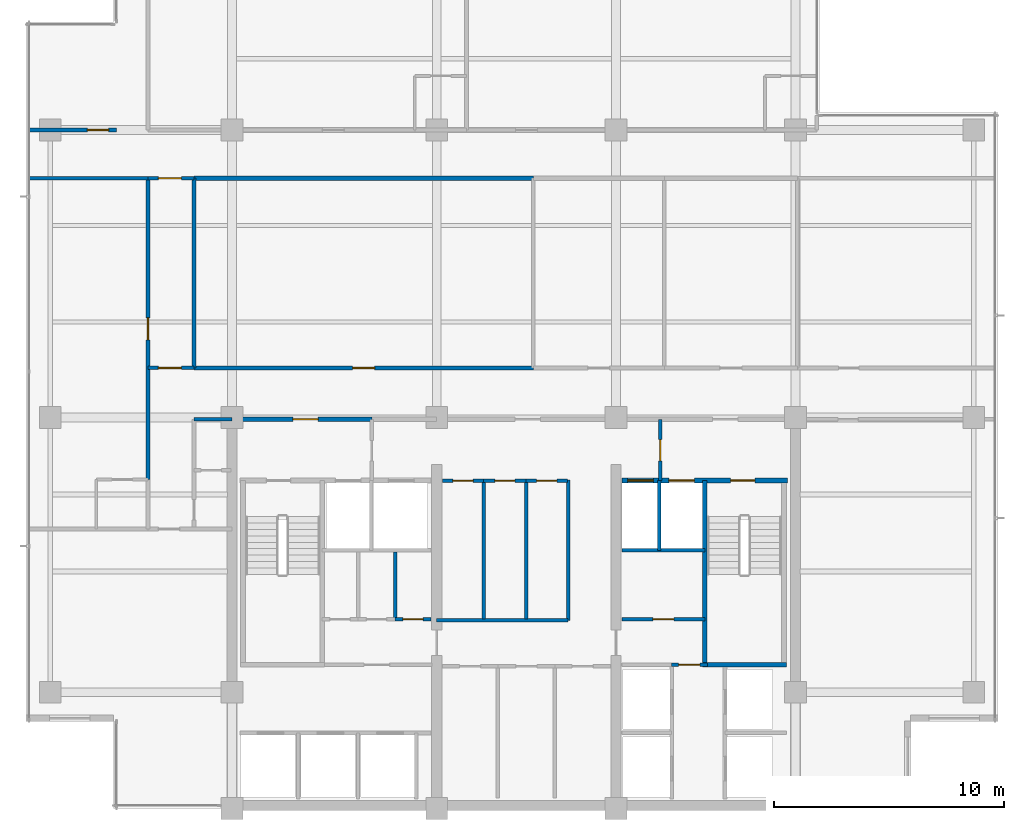
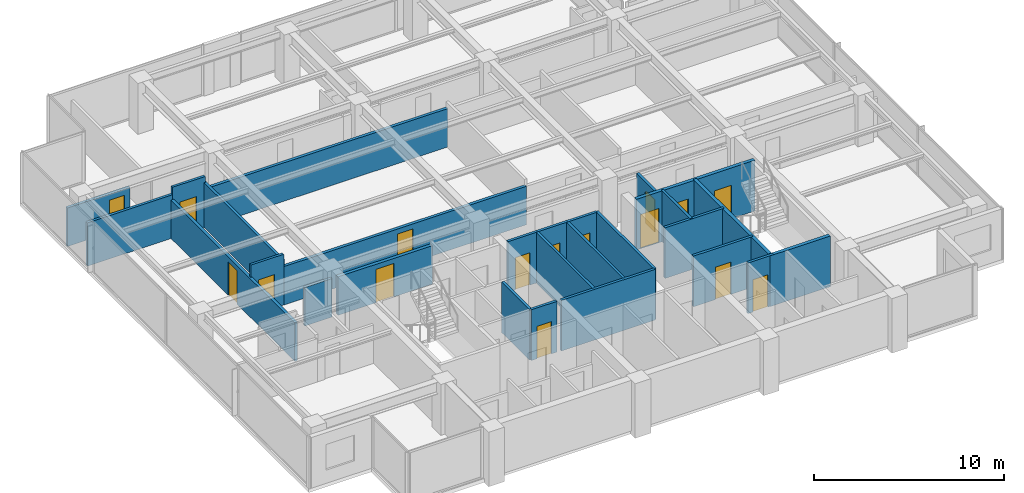
# One storey, part 8 of 14: 27 walls, 16 doors, 16 openings.
"""IFC4 building model written with IfcOpenShell, lengths in metres."""

from ifc_helpers import new_model, si_unit, direction, frame, frame_2d, origin, place, context, subcontext, project, spatial, rectangle, extrude, material, layer, layer_set, type_object, element, fill, save


model = new_model("IFC4")

# Units and contexts
model_context = context("Model", 3, precision=1e-05, world=origin(), true_north=direction((0.0, 1.0)))
body_context = subcontext(model_context, "Body", "Model", "MODEL_VIEW")
ifc_project = project(units=[si_unit("LENGTHUNIT", "METRE"), si_unit("AREAUNIT", "SQUARE_METRE"), si_unit("VOLUMEUNIT", "CUBIC_METRE"), si_unit("PLANEANGLEUNIT", "RADIAN"), si_unit("MASSUNIT", "GRAM", prefix="KILO")], contexts=[model_context])

# Site, building, storey
site_placement = place(None, origin())
site = spatial("IfcSite", under=ifc_project, at=site_placement, CompositionType="ELEMENT")
building_placement = place(site_placement, origin())
building = spatial("IfcBuilding", under=site, at=building_placement, Name="Qalmaran Belvedere Hotel", CompositionType="ELEMENT")
storey_placement = place(building_placement, frame((0.0, 0.0, 224.89990234375)))
storey = spatial("IfcBuildingStorey", under=building, at=storey_placement, Name="L57", CompositionType="ELEMENT", Elevation=224.89990234375)

# Walls
ifc_material_1 = material(Name="Gypsum Stud Partition")
ifc_layer_1 = layer(ifc_material_1, 0.14990234375, Name="Gypsum Stud Partition")
ifc_layer_set_1 = layer_set([ifc_layer_1], Name="Gypsum Stud Partition")
wall_type_1 = type_object("IfcWallType", Name="WL-INT-150-EI120", PredefinedType="PARTITIONING", material=ifc_layer_set_1)
wall_1_placement = place(storey_placement, frame((38.8798828125, 14.719970703125, 0.0), z_axis=(0.0, 0.0, 1.0), x_axis=(0.0, 1.0, 0.0)))
element("IfcWall", 1, at=wall_1_placement, inside=storey, type_object=wall_type_1, Name="L57 Partition WL-FF2M-L57", PredefinedType="PARTITIONING", context=body_context, shape_type="SweptSolid", body=[
    extrude(rectangle(XDim=3.0400390625, YDim=0.14990234375, at=frame_2d((1.52001953125, 0.0))), origin(), (0.0, 0.0, 1.0), 3.260009765625),
])
ifc_layer_2 = layer(ifc_material_1, 0.14990234375, Name="Gypsum Stud Partition")
ifc_layer_set_2 = layer_set([ifc_layer_2], Name="Gypsum Stud Partition")
wall_type_2 = type_object("IfcWallType", Name="WL-INT-150-EI60", PredefinedType="PARTITIONING", material=ifc_layer_set_2)
wall_2_placement = place(storey_placement, frame((27.38916015625, 11.719970703125, 0.0), z_axis=(0.0, 0.0, 1.0), x_axis=(0.0, 1.0, 0.0)))
element("IfcWall", 2, at=wall_2_placement, inside=storey, type_object=wall_type_2, Name="L57 Partition WL-L57-KWV2", PredefinedType="PARTITIONING", context=body_context, shape_type="SweptSolid", body=[
    extrude(rectangle(XDim=2.929931640625, YDim=0.14990234375, at=frame_2d((1.46484375, 0.0))), origin(), (0.0, 0.0, 1.0), 3.260009765625),
])
for number, where, z_axis, x_axis, name in (
    (3, (31.241943359375, 11.739990234375, 0.0), (0.0, 0.0, 1.0), (0.0, 1.0, 0.0), "L57 Partition WL-L57-KPMV1"),
    (4, (33.088134765625, 11.739990234375, 0.0), (0.0, 0.0, 1.0), (0.0, 1.0, 0.0), "L57 Partition WL-L57-KPMV2"),
):
    element("IfcWall", number, at=place(storey_placement, frame(where, z_axis=z_axis, x_axis=x_axis)), inside=storey, type_object=wall_type_2, Name=name, PredefinedType="PARTITIONING", context=body_context, shape_type="SweptSolid", body=[
        extrude(rectangle(XDim=6.010009765625, YDim=0.14990234375, at=frame_2d((3.0048828125, 0.0))), origin(), (0.0, 0.0, 1.0), 3.260009765625),
    ])

# Wall, opening, door
wall_3_placement = place(storey_placement, frame((16.64990234375, 22.64990234375, 0.0), z_axis=(0.0, 0.0, 1.0), x_axis=(1.0, 0.0, 0.0)))
wall_3 = element("IfcWall", 5, at=wall_3_placement, inside=storey, type_object=wall_type_2, Name="L57 Partition WL-L57-XCW1", PredefinedType="PARTITIONING", context=body_context, shape_type="SweptSolid", body=[
    extrude(rectangle(XDim=2.0, YDim=0.14990234375, at=frame_2d((1.0, 0.0))), origin(), (0.0, 0.0, 1.0), 3.260009765625),
])
opening_1_placement = place(wall_3_placement, frame((0.449951171875, 0.0, 0.0)))
opening_1 = element("IfcOpeningElement", 6, at=opening_1_placement, cuts=wall_3, Name="Opening FD90B", PredefinedType="OPENING", context=body_context, shape_type="SweptSolid", body=[
    extrude(rectangle(XDim=1.0, YDim=2.14990234375, at=frame_2d((0.5, 1.074951171875))), frame((0.0, 0.0849609375, 0.0), z_axis=(0.0, -1.0, 0.0), x_axis=(1.0, 0.0, 0.0)), (0.0, 0.0, 1.0), 0.169921875),
])
ifc_material_2 = material(Name="Steel S355JR", Category="steel")
door_type_1 = type_object("IfcDoorType", Name="DR-FD90B-1000X2150", OperationType="NOTDEFINED", PredefinedType="DOOR", material=ifc_material_2)
door_1_placement = place(opening_1_placement, origin())
door_1 = element("IfcDoor", 7, at=door_1_placement, inside=storey, type_object=door_type_1, Name="L57 West Corridor Smoke Door S", OperationType="SINGLE_SWING_RIGHT", OverallHeight=2.14990234375, OverallWidth=1.0, PredefinedType="DOOR", context=body_context, shape_type="SweptSolid", body=[
    extrude(rectangle(XDim=1.0, YDim=2.14990234375, at=frame_2d((0.5, 1.074951171875))), frame((0.0, 0.02490234375, 0.0), z_axis=(0.0, -1.0, 0.0), x_axis=(1.0, 0.0, 0.0)), (0.0, 0.0, 1.0), 0.050048828125),
])
fill(opening_1, door_1)

wall_4_placement = place(storey_placement, frame((16.64990234375, 30.89990234375, 0.0), z_axis=(0.0, 0.0, 1.0), x_axis=(1.0, 0.0, 0.0)))
wall_4 = element("IfcWall", 8, at=wall_4_placement, inside=storey, type_object=wall_type_2, Name="L57 Partition WL-L57-XCW2", PredefinedType="PARTITIONING", context=body_context, shape_type="SweptSolid", body=[
    extrude(rectangle(XDim=2.0, YDim=0.14990234375, at=frame_2d((1.0, 0.0))), origin(), (0.0, 0.0, 1.0), 3.260009765625),
])
opening_2_placement = place(wall_4_placement, frame((0.449951171875, 0.0, 0.0)))
opening_2 = element("IfcOpeningElement", 9, at=opening_2_placement, cuts=wall_4, Name="Opening FD90B", PredefinedType="OPENING", context=body_context, shape_type="SweptSolid", body=[
    extrude(rectangle(XDim=1.0, YDim=2.14990234375, at=frame_2d((0.5, 1.074951171875))), frame((0.0, 0.0849609375, 0.0), z_axis=(0.0, -1.0, 0.0), x_axis=(1.0, 0.0, 0.0)), (0.0, 0.0, 1.0), 0.169921875),
])
door_2_placement = place(opening_2_placement, origin())
door_2 = element("IfcDoor", 10, at=door_2_placement, inside=storey, type_object=door_type_1, Name="L57 West Corridor Smoke Door N", OperationType="SINGLE_SWING_LEFT", OverallHeight=2.14990234375, OverallWidth=1.0, PredefinedType="DOOR", context=body_context, shape_type="SweptSolid", body=[
    extrude(rectangle(XDim=1.0, YDim=2.14990234375, at=frame_2d((0.5, 1.074951171875))), frame((0.0, 0.02490234375, 0.0), z_axis=(0.0, -1.0, 0.0), x_axis=(1.0, 0.0, 0.0)), (0.0, 0.0, 1.0), 0.050048828125),
])
fill(opening_2, door_2)

ifc_layer_3 = layer(ifc_material_1, 0.159912109375, Name="Gypsum Stud Partition")
ifc_layer_set_3 = layer_set([ifc_layer_3], Name="Gypsum Stud Partition")
wall_type_3 = type_object("IfcWallType", Name="WL-INT-160-EI120", PredefinedType="PARTITIONING", material=ifc_layer_set_3)
wall_5_placement = place(storey_placement, frame((38.919921875, 17.760009765625, 0.0), z_axis=(0.0, 0.0, 1.0), x_axis=(0.0, 1.0, 0.0)))
wall_5 = element("IfcWall", 11, at=wall_5_placement, inside=storey, type_object=wall_type_3, Name="L57 Partition WL-FFSV2-L57", PredefinedType="PARTITIONING", context=body_context, shape_type="SweptSolid", body=[
    extrude(rectangle(XDim=2.659912109375, YDim=0.159912109375, at=frame_2d((1.330078125, 0.0))), origin(), (0.0, 0.0, 1.0), 2.7060546875),
])
opening_3_placement = place(wall_5_placement, frame((1.77001953125, 0.0, 0.0), z_axis=(0.0, 0.0, 1.0), x_axis=(-1.0, 0.0, 0.0)))
opening_3 = element("IfcOpeningElement", 12, at=opening_3_placement, cuts=wall_5, Name="Opening FD60S1", PredefinedType="OPENING", context=body_context, shape_type="SweptSolid", body=[
    extrude(rectangle(XDim=0.919921875, YDim=2.080078125, at=frame_2d((0.4599609375, 1.0400390625))), frame((0.0, 0.08984375, 0.0), z_axis=(0.0, -1.0, 0.0), x_axis=(1.0, 0.0, 0.0)), (0.0, 0.0, 1.0), 0.179931640625),
])
ifc_material_3 = material(Name="Engineered Oak Veneer")
door_type_2 = type_object("IfcDoorType", Name="DR-FD60S-920X2080", OperationType="NOTDEFINED", PredefinedType="DOOR", material=ifc_material_3)
door_3_placement = place(opening_3_placement, origin())
door_3 = element("IfcDoor", 13, at=door_3_placement, inside=storey, type_object=door_type_2, Name="L57 Service Lobby East Door", OperationType="SINGLE_SWING_RIGHT", OverallHeight=2.080078125, OverallWidth=0.919921875, PredefinedType="DOOR", context=body_context, shape_type="SweptSolid", body=[
    extrude(rectangle(XDim=0.919921875, YDim=2.080078125, at=frame_2d((0.4599609375, 1.0400390625))), frame((0.0, 0.02490234375, 0.0), z_axis=(0.0, -1.0, 0.0), x_axis=(1.0, 0.0, 0.0)), (0.0, 0.0, 1.0), 0.050048828125),
])
fill(opening_3, door_3)

# Wall
wall_6_placement = place(storey_placement, frame((37.25, 14.719970703125, 0.0), z_axis=(0.0, 0.0, 1.0), x_axis=(1.0, 0.0, 0.0)))
element("IfcWall", 14, at=wall_6_placement, inside=storey, type_object=wall_type_3, Name="L57 Partition WL-FF2S-L57", PredefinedType="PARTITIONING", context=body_context, shape_type="SweptSolid", body=[
    extrude(rectangle(XDim=3.610107421875, YDim=0.159912109375, at=frame_2d((1.80517578125, 0.0))), origin(), (0.0, 0.0, 1.0), 3.260009765625),
])

# Wall, opening, door
wall_7_placement = place(storey_placement, frame((39.419921875, 9.739990234375, 0.0), z_axis=(0.0, 0.0, 1.0), x_axis=(1.0, 0.0, 0.0)))
wall_7 = element("IfcWall", 15, at=wall_7_placement, inside=storey, type_object=wall_type_3, Name="L57 Partition WL-PHNL-L57", PredefinedType="PARTITIONING", context=body_context, shape_type="SweptSolid", body=[
    extrude(rectangle(XDim=1.56005859375, YDim=0.159912109375, at=frame_2d((0.780029296875, 0.0))), origin(), (0.0, 0.0, 1.0), 3.260009765625),
])
opening_4_placement = place(wall_7_placement, frame((0.300048828125, 0.0, 0.0)))
opening_4 = element("IfcOpeningElement", 16, at=opening_4_placement, cuts=wall_7, Name="Opening FD60S1", PredefinedType="OPENING", context=body_context, shape_type="SweptSolid", body=[
    extrude(rectangle(XDim=0.919921875, YDim=2.080078125, at=frame_2d((0.4599609375, 1.0400390625))), frame((0.0, 0.08984375, 0.0), z_axis=(0.0, -1.0, 0.0), x_axis=(1.0, 0.0, 0.0)), (0.0, 0.0, 1.0), 0.179931640625),
])
door_4_placement = place(opening_4_placement, origin())
door_4 = element("IfcDoor", 17, at=door_4_placement, inside=storey, type_object=door_type_2, Name="L57 High-Rise Lift Lobby Passage Door", OperationType="SINGLE_SWING_LEFT", OverallHeight=2.080078125, OverallWidth=0.919921875, PredefinedType="DOOR", context=body_context, shape_type="SweptSolid", body=[
    extrude(rectangle(XDim=0.919921875, YDim=2.080078125, at=frame_2d((0.4599609375, 1.0400390625))), frame((0.0, 0.02490234375, 0.0), z_axis=(0.0, -1.0, 0.0), x_axis=(1.0, 0.0, 0.0)), (0.0, 0.0, 1.0), 0.050048828125),
])
fill(opening_4, door_4)

ifc_layer_4 = layer(ifc_material_1, 0.159912109375, Name="Gypsum Stud Partition")
ifc_layer_set_4 = layer_set([ifc_layer_4], Name="Gypsum Stud Partition")
wall_type_4 = type_object("IfcWallType", Name="WL-INT-160-EI60", PredefinedType="PARTITIONING", material=ifc_layer_set_4)
wall_8_placement = place(storey_placement, frame((27.38916015625, 11.719970703125, 0.0), z_axis=(0.0, 0.0, 1.0), x_axis=(1.0, 0.0, 0.0)))
wall_8 = element("IfcWall", 18, at=wall_8_placement, inside=storey, type_object=wall_type_4, Name="L57 Partition WL-L57-KWE3", PredefinedType="PARTITIONING", context=body_context, shape_type="SweptSolid", body=[
    extrude(rectangle(XDim=1.560791015625, YDim=0.159912109375, at=frame_2d((0.7802734375, 0.0))), origin(), (0.0, 0.0, 1.0), 3.260009765625),
])
opening_5_placement = place(wall_8_placement, frame((0.340576171875, 0.0, 0.0)))
opening_5 = element("IfcOpeningElement", 19, at=opening_5_placement, cuts=wall_8, Name="Opening FD60B", PredefinedType="OPENING", context=body_context, shape_type="SweptSolid", body=[
    extrude(rectangle(XDim=0.8798828125, YDim=2.080078125, at=frame_2d((0.43994140625, 1.0400390625))), frame((0.0, 0.08984375, 0.0), z_axis=(0.0, -1.0, 0.0), x_axis=(1.0, 0.0, 0.0)), (0.0, 0.0, 1.0), 0.179931640625),
])
door_type_3 = type_object("IfcDoorType", Name="DR-FD60B-880X2080", OperationType="NOTDEFINED", PredefinedType="DOOR", material=ifc_material_2)
door_5_placement = place(opening_5_placement, origin())
door_5 = element("IfcDoor", 20, at=door_5_placement, inside=storey, type_object=door_type_3, Name="L57 Telecom and IT Room Door", OperationType="SINGLE_SWING_RIGHT", OverallHeight=2.080078125, OverallWidth=0.8798828125, PredefinedType="DOOR", context=body_context, shape_type="SweptSolid", body=[
    extrude(rectangle(XDim=0.8798828125, YDim=2.080078125, at=frame_2d((0.43994140625, 1.0400390625))), frame((0.0, 0.02490234375, 0.0), z_axis=(0.0, -1.0, 0.0), x_axis=(1.0, 0.0, 0.0)), (0.0, 0.0, 1.0), 0.050048828125),
])
fill(opening_5, door_5)

wall_9_placement = place(storey_placement, frame((37.25, 11.719970703125, 0.0), z_axis=(0.0, 0.0, 1.0), x_axis=(1.0, 0.0, 0.0)))
wall_9 = element("IfcWall", 21, at=wall_9_placement, inside=storey, type_object=wall_type_4, Name="L57 Partition WL-L57-KEE1", PredefinedType="PARTITIONING", context=body_context, shape_type="SweptSolid", body=[
    extrude(rectangle(XDim=3.610107421875, YDim=0.159912109375, at=frame_2d((1.80517578125, 0.0))), origin(), (0.0, 0.0, 1.0), 3.260009765625),
])
opening_6_placement = place(wall_9_placement, frame((1.344970703125, 0.0, 0.0)))
opening_6 = element("IfcOpeningElement", 22, at=opening_6_placement, cuts=wall_9, Name="Opening FD60S1", PredefinedType="OPENING", context=body_context, shape_type="SweptSolid", body=[
    extrude(rectangle(XDim=0.919921875, YDim=2.080078125, at=frame_2d((0.4599609375, 1.0400390625))), frame((0.0, 0.08984375, 0.0), z_axis=(0.0, -1.0, 0.0), x_axis=(1.0, 0.0, 0.0)), (0.0, 0.0, 1.0), 0.179931640625),
])
door_6_placement = place(opening_6_placement, origin())
door_6 = element("IfcDoor", 23, at=door_6_placement, inside=storey, type_object=door_type_2, Name="L57 Guest Ice and Beverage Pantry Door", OperationType="SINGLE_SWING_LEFT", OverallHeight=2.080078125, OverallWidth=0.919921875, PredefinedType="DOOR", context=body_context, shape_type="SweptSolid", body=[
    extrude(rectangle(XDim=0.919921875, YDim=2.080078125, at=frame_2d((0.4599609375, 1.0400390625))), frame((0.0, 0.02490234375, 0.0), z_axis=(0.0, -1.0, 0.0), x_axis=(1.0, 0.0, 0.0)), (0.0, 0.0, 1.0), 0.050048828125),
])
fill(opening_6, door_6)

# Walls
wall_10_placement = place(storey_placement, frame((34.919921875, 11.679931640625, 0.0), z_axis=(0.0, 0.0, 1.0), x_axis=(0.0, 1.0, 0.0)))
element("IfcWall", 24, at=wall_10_placement, inside=storey, type_object=wall_type_4, Name="L57 Partition WL-CLLV-L57", PredefinedType="PARTITIONING", context=body_context, shape_type="SweptSolid", body=[
    extrude(rectangle(XDim=6.10009765625, YDim=0.159912109375, at=frame_2d((3.050048828125, 0.0))), origin(), (0.0, 0.0, 1.0), 3.260009765625),
])
wall_11_placement = place(storey_placement, frame((29.199951171875, 11.679931640625, 0.0), z_axis=(0.0, 0.0, 1.0), x_axis=(1.0, 0.0, 0.0)))
element("IfcWall", 25, at=wall_11_placement, inside=storey, type_object=wall_type_4, Name="L57 Partition WL-PMFS-L57", PredefinedType="PARTITIONING", context=body_context, shape_type="SweptSolid", body=[
    extrude(rectangle(XDim=5.719970703125, YDim=0.159912109375, at=frame_2d((2.85986328125, 0.0))), origin(), (0.0, 0.0, 1.0), 3.260009765625),
])

# Wall, opening, door
wall_12_placement = place(storey_placement, frame((29.449951171875, 17.75, 0.0), z_axis=(0.0, 0.0, 1.0), x_axis=(1.0, 0.0, 0.0)))
wall_12 = element("IfcWall", 26, at=wall_12_placement, inside=storey, type_object=wall_type_4, Name="L57 Partition WL-L57-KPME1", PredefinedType="PARTITIONING", context=body_context, shape_type="SweptSolid", body=[
    extrude(rectangle(XDim=1.7919921875, YDim=0.159912109375, at=frame_2d((0.89599609375, 0.0))), origin(), (0.0, 0.0, 1.0), 3.260009765625),
])
opening_7_placement = place(wall_12_placement, frame((1.3359375, 0.0, 0.0), z_axis=(0.0, 0.0, 1.0), x_axis=(-1.0, 0.0, 0.0)))
opening_7 = element("IfcOpeningElement", 27, at=opening_7_placement, cuts=wall_12, Name="Opening FD60B", PredefinedType="OPENING", context=body_context, shape_type="SweptSolid", body=[
    extrude(rectangle(XDim=0.8798828125, YDim=2.080078125, at=frame_2d((0.43994140625, 1.0400390625))), frame((0.0, 0.08984375, 0.0), z_axis=(0.0, -1.0, 0.0), x_axis=(1.0, 0.0, 0.0)), (0.0, 0.0, 1.0), 0.179931640625),
])
door_7_placement = place(opening_7_placement, origin())
door_7 = element("IfcDoor", 28, at=door_7_placement, inside=storey, type_object=door_type_3, Name="L57 Executive Butler Pantry Door", OperationType="SINGLE_SWING_LEFT", OverallHeight=2.080078125, OverallWidth=0.8798828125, PredefinedType="DOOR", context=body_context, shape_type="SweptSolid", body=[
    extrude(rectangle(XDim=0.8798828125, YDim=2.080078125, at=frame_2d((0.43994140625, 1.0400390625))), frame((0.0, 0.02490234375, 0.0), z_axis=(0.0, -1.0, 0.0), x_axis=(1.0, 0.0, 0.0)), (0.0, 0.0, 1.0), 0.050048828125),
])
fill(opening_7, door_7)

wall_13_placement = place(storey_placement, frame((31.241943359375, 17.75, 0.0), z_axis=(0.0, 0.0, 1.0), x_axis=(1.0, 0.0, 0.0)))
wall_13 = element("IfcWall", 29, at=wall_13_placement, inside=storey, type_object=wall_type_4, Name="L57 Partition WL-L57-KPME2", PredefinedType="PARTITIONING", context=body_context, shape_type="SweptSolid", body=[
    extrude(rectangle(XDim=1.84619140625, YDim=0.159912109375, at=frame_2d((0.923095703125, 0.0))), origin(), (0.0, 0.0, 1.0), 3.260009765625),
])
opening_8_placement = place(wall_13_placement, frame((1.363037109375, 0.0, 0.0), z_axis=(0.0, 0.0, 1.0), x_axis=(-1.0, 0.0, 0.0)))
opening_8 = element("IfcOpeningElement", 30, at=opening_8_placement, cuts=wall_13, Name="Opening FD60B", PredefinedType="OPENING", context=body_context, shape_type="SweptSolid", body=[
    extrude(rectangle(XDim=0.8798828125, YDim=2.080078125, at=frame_2d((0.43994140625, 1.0400390625))), frame((0.0, 0.08984375, 0.0), z_axis=(0.0, -1.0, 0.0), x_axis=(1.0, 0.0, 0.0)), (0.0, 0.0, 1.0), 0.179931640625),
])
door_8_placement = place(opening_8_placement, origin())
door_8 = element("IfcDoor", 31, at=door_8_placement, inside=storey, type_object=door_type_3, Name="L57 Floor Linen Supply Store Door", OperationType="SINGLE_SWING_RIGHT", OverallHeight=2.080078125, OverallWidth=0.8798828125, PredefinedType="DOOR", context=body_context, shape_type="SweptSolid", body=[
    extrude(rectangle(XDim=0.8798828125, YDim=2.080078125, at=frame_2d((0.43994140625, 1.0400390625))), frame((0.0, 0.02490234375, 0.0), z_axis=(0.0, -1.0, 0.0), x_axis=(1.0, 0.0, 0.0)), (0.0, 0.0, 1.0), 0.050048828125),
])
fill(opening_8, door_8)

wall_14_placement = place(storey_placement, frame((33.088134765625, 17.75, 0.0), z_axis=(0.0, 0.0, 1.0), x_axis=(1.0, 0.0, 0.0)))
wall_14 = element("IfcWall", 32, at=wall_14_placement, inside=storey, type_object=wall_type_4, Name="L57 Partition WL-L57-KPME3", PredefinedType="PARTITIONING", context=body_context, shape_type="SweptSolid", body=[
    extrude(rectangle(XDim=1.791748046875, YDim=0.159912109375, at=frame_2d((0.89599609375, 0.0))), origin(), (0.0, 0.0, 1.0), 3.260009765625),
])
opening_9_placement = place(wall_14_placement, frame((1.3359375, 0.0, 0.0), z_axis=(0.0, 0.0, 1.0), x_axis=(-1.0, 0.0, 0.0)))
opening_9 = element("IfcOpeningElement", 33, at=opening_9_placement, cuts=wall_14, Name="Opening FD60B", PredefinedType="OPENING", context=body_context, shape_type="SweptSolid", body=[
    extrude(rectangle(XDim=0.8798828125, YDim=2.080078125, at=frame_2d((0.43994140625, 1.0400390625))), frame((0.0, 0.08984375, 0.0), z_axis=(0.0, -1.0, 0.0), x_axis=(1.0, 0.0, 0.0)), (0.0, 0.0, 1.0), 0.179931640625),
])
door_9_placement = place(opening_9_placement, origin())
door_9 = element("IfcDoor", 34, at=door_9_placement, inside=storey, type_object=door_type_3, Name="L57 Core Tableware Store Door", OperationType="SINGLE_SWING_LEFT", OverallHeight=2.080078125, OverallWidth=0.8798828125, PredefinedType="DOOR", context=body_context, shape_type="SweptSolid", body=[
    extrude(rectangle(XDim=0.8798828125, YDim=2.080078125, at=frame_2d((0.43994140625, 1.0400390625))), frame((0.0, 0.02490234375, 0.0), z_axis=(0.0, -1.0, 0.0), x_axis=(1.0, 0.0, 0.0)), (0.0, 0.0, 1.0), 0.050048828125),
])
fill(opening_9, door_9)

# Walls
wall_15_placement = place(storey_placement, frame((18.64990234375, 20.419921875, 0.0), z_axis=(0.0, 0.0, 1.0), x_axis=(1.0, 0.0, 0.0)))
element("IfcWall", 35, at=wall_15_placement, inside=storey, type_object=wall_type_4, Name="L57 Partition WL-L57-WCLN", PredefinedType="PARTITIONING", context=body_context, shape_type="SweptSolid", body=[
    extrude(rectangle(XDim=1.650146484375, YDim=0.159912109375, at=frame_2d((0.8251953125, 0.0))), origin(), (0.0, 0.0, 1.0), 2.47216796875),
])
wall_16_placement = place(storey_placement, frame((18.64990234375, 22.64990234375, 0.0), z_axis=(0.0, 0.0, 1.0), x_axis=(0.0, 1.0, 0.0)))
element("IfcWall", 36, at=wall_16_placement, inside=storey, type_object=wall_type_4, Name="L57 Partition WL-L57-MIDVL", PredefinedType="PARTITIONING", context=body_context, shape_type="SweptSolid", body=[
    extrude(rectangle(XDim=8.25, YDim=0.159912109375, at=frame_2d((4.125, 0.0))), origin(), (0.0, 0.0, 1.0), 2.88720703125),
])
wall_17_placement = place(storey_placement, frame((11.469970703125, 30.89990234375, 0.0), z_axis=(0.0, 0.0, 1.0), x_axis=(1.0, 0.0, 0.0)))
element("IfcWall", 37, at=wall_17_placement, inside=storey, type_object=wall_type_4, Name="L57 Partition WL-L57-WU00", PredefinedType="PARTITIONING", context=body_context, shape_type="SweptSolid", body=[
    extrude(rectangle(XDim=5.179931640625, YDim=0.159912109375, at=frame_2d((2.58984375, 0.0))), origin(), (0.0, 0.0, 1.0), 2.781982421875),
])

# Wall, opening, door
ifc_layer_5 = layer(ifc_material_1, 0.179931640625, Name="Gypsum Stud Partition")
ifc_layer_set_5 = layer_set([ifc_layer_5], Name="Gypsum Stud Partition")
wall_type_5 = type_object("IfcWallType", Name="WL-INT-180-EI60", PredefinedType="PARTITIONING", material=ifc_layer_set_5)
wall_18_placement = place(storey_placement, frame((18.64990234375, 22.64990234375, 0.0), z_axis=(0.0, 0.0, 1.0), x_axis=(1.0, 0.0, 0.0)))
wall_18 = element("IfcWall", 38, at=wall_18_placement, inside=storey, type_object=wall_type_5, Name="L57 Partition WL-L57-MIDD1", PredefinedType="PARTITIONING", context=body_context, shape_type="SweptSolid", body=[
    extrude(rectangle(XDim=14.75, YDim=0.179931640625, at=frame_2d((7.375, 0.0))), origin(), (0.0, 0.0, 1.0), 2.47216796875),
])
opening_10_placement = place(wall_18_placement, frame((6.89990234375, 0.0, 0.0)))
opening_10 = element("IfcOpeningElement", 39, at=opening_10_placement, cuts=wall_18, Name="Opening FD60", PredefinedType="OPENING", context=body_context, shape_type="SweptSolid", body=[
    extrude(rectangle(XDim=0.949951171875, YDim=2.14990234375, at=frame_2d((0.47509765625, 1.074951171875))), frame((0.0, 0.10009765625, 0.0), z_axis=(0.0, -1.0, 0.0), x_axis=(1.0, 0.0, 0.0)), (0.0, 0.0, 1.0), 0.199951171875),
])
door_type_4 = type_object("IfcDoorType", Name="DR-FD60-950X2150", OperationType="NOTDEFINED", PredefinedType="DOOR", material=ifc_material_3)
door_10_placement = place(opening_10_placement, origin())
door_10 = element("IfcDoor", 40, at=door_10_placement, inside=storey, type_object=door_type_4, Name="L57 Housekeeping and Linen Room Door", OperationType="SINGLE_SWING_RIGHT", OverallHeight=2.14990234375, OverallWidth=0.949951171875, PredefinedType="DOOR", context=body_context, shape_type="SweptSolid", body=[
    extrude(rectangle(XDim=0.949951171875, YDim=2.14990234375, at=frame_2d((0.47509765625, 1.074951171875))), frame((0.0, 0.02490234375, 0.0), z_axis=(0.0, -1.0, 0.0), x_axis=(1.0, 0.0, 0.0)), (0.0, 0.0, 1.0), 0.050048828125),
])
fill(opening_10, door_10)

# Wall
wall_19_placement = place(storey_placement, frame((18.64990234375, 30.89990234375, 0.0), z_axis=(0.0, 0.0, 1.0), x_axis=(1.0, 0.0, 0.0)))
element("IfcWall", 41, at=wall_19_placement, inside=storey, type_object=wall_type_5, Name="L57 Partition WL-L57-MIDO1", PredefinedType="PARTITIONING", context=body_context, shape_type="SweptSolid", body=[
    extrude(rectangle(XDim=14.75, YDim=0.179931640625, at=frame_2d((7.375, 0.0))), origin(), (0.0, 0.0, 1.0), 2.47216796875),
])

# Wall, opening, door
wall_20_placement = place(storey_placement, frame((16.64990234375, 17.800048828125, 0.0), z_axis=(0.0, 0.0, 1.0), x_axis=(0.0, 1.0, 0.0)))
wall_20 = element("IfcWall", 42, at=wall_20_placement, inside=storey, type_object=wall_type_5, Name="L57 Partition WL-L57-WEC00", PredefinedType="PARTITIONING", context=body_context, shape_type="SweptSolid", body=[
    extrude(rectangle(XDim=13.099853515625, YDim=0.179931640625, at=frame_2d((6.5498046875, 0.0))), origin(), (0.0, 0.0, 1.0), 2.47216796875),
])
opening_11_placement = place(wall_20_placement, frame((6.074951171875, 0.0, 0.0)))
opening_11 = element("IfcOpeningElement", 43, at=opening_11_placement, cuts=wall_20, Name="Opening FD60", PredefinedType="OPENING", context=body_context, shape_type="SweptSolid", body=[
    extrude(rectangle(XDim=0.949951171875, YDim=2.14990234375, at=frame_2d((0.47509765625, 1.074951171875))), frame((0.0, 0.10009765625, 0.0), z_axis=(0.0, -1.0, 0.0), x_axis=(1.0, 0.0, 0.0)), (0.0, 0.0, 1.0), 0.199951171875),
])
door_11_placement = place(opening_11_placement, origin())
door_11 = element("IfcDoor", 44, at=door_11_placement, inside=storey, type_object=door_type_4, Name="L57 W Wing Door 01", OperationType="SINGLE_SWING_RIGHT", OverallHeight=2.14990234375, OverallWidth=0.949951171875, PredefinedType="DOOR", context=body_context, shape_type="SweptSolid", body=[
    extrude(rectangle(XDim=0.949951171875, YDim=2.14990234375, at=frame_2d((0.47509765625, 1.074951171875))), frame((0.0, 0.02490234375, 0.0), z_axis=(0.0, -1.0, 0.0), x_axis=(1.0, 0.0, 0.0)), (0.0, 0.0, 1.0), 0.050048828125),
])
fill(opening_11, door_11)

wall_21_placement = place(storey_placement, frame((11.469970703125, 33.0, 0.0), z_axis=(0.0, 0.0, 1.0), x_axis=(1.0, 0.0, 0.0)))
wall_21 = element("IfcWall", 45, at=wall_21_placement, inside=storey, type_object=wall_type_5, Name="L57 Partition WL-L57-NWSD", PredefinedType="PARTITIONING", context=body_context, shape_type="SweptSolid", body=[
    extrude(rectangle(XDim=3.800048828125, YDim=0.179931640625, at=frame_2d((1.89990234375, 0.0))), origin(), (0.0, 0.0, 1.0), 2.47216796875),
])
opening_12_placement = place(wall_21_placement, frame((2.543701171875, 0.0, 0.0)))
opening_12 = element("IfcOpeningElement", 46, at=opening_12_placement, cuts=wall_21, Name="Opening FD60S1", PredefinedType="OPENING", context=body_context, shape_type="SweptSolid", body=[
    extrude(rectangle(XDim=0.919921875, YDim=2.080078125, at=frame_2d((0.4599609375, 1.0400390625))), frame((0.0, 0.10009765625, 0.0), z_axis=(0.0, -1.0, 0.0), x_axis=(1.0, 0.0, 0.0)), (0.0, 0.0, 1.0), 0.199951171875),
])
door_12_placement = place(opening_12_placement, origin())
door_12 = element("IfcDoor", 47, at=door_12_placement, inside=storey, type_object=door_type_2, Name="L57 NW Belvedere Study Door", OperationType="SINGLE_SWING_LEFT", OverallHeight=2.080078125, OverallWidth=0.919921875, PredefinedType="DOOR", context=body_context, shape_type="SweptSolid", body=[
    extrude(rectangle(XDim=0.919921875, YDim=2.080078125, at=frame_2d((0.4599609375, 1.0400390625))), frame((0.0, 0.02490234375, 0.0), z_axis=(0.0, -1.0, 0.0), x_axis=(1.0, 0.0, 0.0)), (0.0, 0.0, 1.0), 0.050048828125),
])
fill(opening_12, door_12)

ifc_material_4 = material(Name="Concrete C30/37 Blockwork", Category="masonry")
ifc_layer_6 = layer(ifc_material_4, 0.199951171875, Name="Concrete C30/37 Blockwork")
ifc_layer_set_6 = layer_set([ifc_layer_6], Name="Concrete C30/37 Blockwork")
wall_type_6 = type_object("IfcWallType", Name="WL-INT-200-EI120", PredefinedType="PARTITIONING", material=ifc_layer_set_6)
wall_22_placement = place(storey_placement, frame((20.64990234375, 20.419921875, 0.0), z_axis=(0.0, 0.0, 1.0), x_axis=(1.0, 0.0, 0.0)))
wall_22 = element("IfcWall", 48, at=wall_22_placement, inside=storey, type_object=wall_type_6, Name="L57 Partition WL-CN1A-L57", PredefinedType="PARTITIONING", context=body_context, shape_type="SweptSolid", body=[
    extrude(rectangle(XDim=5.72998046875, YDim=0.199951171875, at=frame_2d((2.864990234375, 0.0))), origin(), (0.0, 0.0, 1.0), 2.47216796875),
])
opening_13_placement = place(wall_22_placement, frame((2.300048828125, 0.0, 0.0)))
opening_13 = element("IfcOpeningElement", 49, at=opening_13_placement, cuts=wall_22, Name="Opening FD90", PredefinedType="OPENING", context=body_context, shape_type="SweptSolid", body=[
    extrude(rectangle(XDim=1.10009765625, YDim=2.14990234375, at=frame_2d((0.550048828125, 1.074951171875))), frame((0.0, 0.10986328125, 0.0), z_axis=(0.0, -1.0, 0.0), x_axis=(1.0, 0.0, 0.0)), (0.0, 0.0, 1.0), 0.219970703125),
])
door_type_5 = type_object("IfcDoorType", Name="DR-FD90-1100X2150", OperationType="NOTDEFINED", PredefinedType="DOOR", material=ifc_material_2)
door_13_placement = place(opening_13_placement, origin())
door_13 = element("IfcDoor", 50, at=door_13_placement, inside=storey, type_object=door_type_5, Name="L57 FF1 Lobby Corridor Door", OperationType="SINGLE_SWING_LEFT", OverallHeight=2.14990234375, OverallWidth=1.10009765625, PredefinedType="DOOR", context=body_context, shape_type="SweptSolid", body=[
    extrude(rectangle(XDim=1.10009765625, YDim=2.14990234375, at=frame_2d((0.550048828125, 1.074951171875))), frame((0.0, 0.02490234375, 0.0), z_axis=(0.0, -1.0, 0.0), x_axis=(1.0, 0.0, 0.0)), (0.0, 0.0, 1.0), 0.050048828125),
])
fill(opening_13, door_13)

# Walls
ifc_material_5 = material(Name="Concrete C50/60", Category="concrete")
ifc_layer_7 = layer(ifc_material_5, 0.2099609375, Name="Concrete C50/60")
ifc_layer_set_7 = layer_set([ifc_layer_7], Name="Concrete C50/60")
wall_type_7 = type_object("IfcWallType", Name="WL-STAIR-210-C50", PredefinedType="SHEAR", material=ifc_layer_set_7)
wall_23_placement = place(storey_placement, frame((40.85498046875, 9.7451171875, 0.0), z_axis=(0.0, 0.0, 1.0), x_axis=(0.0, 1.0, 0.0)))
element("IfcWall", 51, at=wall_23_placement, inside=storey, type_object=wall_type_7, Name="L57 Stair ST-2 West Bearing Wall", PredefinedType="SHEAR", context=body_context, shape_type="SweptSolid", body=[
    extrude(rectangle(XDim=8.009765625, YDim=0.2099609375, at=frame_2d((4.0048828125, 0.0))), origin(), (0.0, 0.0, 1.0), 3.260009765625),
])
wall_24_placement = place(storey_placement, frame((40.75, 9.7451171875, 0.0), z_axis=(0.0, 0.0, 1.0), x_axis=(1.0, 0.0, 0.0)))
element("IfcWall", 52, at=wall_24_placement, inside=storey, type_object=wall_type_7, Name="L57 Stair ST-2 South Bearing Wall", PredefinedType="SHEAR", context=body_context, shape_type="SweptSolid", body=[
    extrude(rectangle(XDim=3.659912109375, YDim=0.2099609375, at=frame_2d((1.830078125, 0.0))), origin(), (0.0, 0.0, 1.0), 3.260009765625),
])

# Wall, openings, doors
wall_25_placement = place(storey_placement, frame((37.25, 17.7548828125, 0.0), z_axis=(0.0, 0.0, 1.0), x_axis=(1.0, 0.0, 0.0)))
wall_25 = element("IfcWall", 53, at=wall_25_placement, inside=storey, type_object=wall_type_7, Name="L57 East Lobby and Stair ST-2 North Bearing Wall", PredefinedType="SHEAR", context=body_context, shape_type="SweptSolid", body=[
    extrude(rectangle(XDim=7.199951171875, YDim=0.2099609375, at=frame_2d((3.60009765625, 0.0))), origin(), (0.0, 0.0, 1.0), 3.260009765625),
])
opening_14_placement = place(wall_25_placement, frame((0.25, 0.0, 0.0)))
opening_14 = element("IfcOpeningElement", 54, at=opening_14_placement, cuts=wall_25, Name="Opening LD-SV", PredefinedType="OPENING", context=body_context, shape_type="SweptSolid", body=[
    extrude(rectangle(XDim=1.1201171875, YDim=2.199951171875, at=frame_2d((0.56005859375, 1.10009765625))), frame((0.0, 0.114990234375, 0.0), z_axis=(0.0, -1.0, 0.0), x_axis=(1.0, 0.0, 0.0)), (0.0, 0.0, 1.0), 0.22998046875),
])
opening_15_placement = place(wall_25_placement, frame((2.050048828125, 0.0, 0.0)))
opening_15 = element("IfcOpeningElement", 55, at=opening_15_placement, cuts=wall_25, Name="Opening LD-FF", PredefinedType="OPENING", context=body_context, shape_type="SweptSolid", body=[
    extrude(rectangle(XDim=1.10009765625, YDim=2.179931640625, at=frame_2d((0.550048828125, 1.08984375))), frame((0.0, 0.114990234375, 0.0), z_axis=(0.0, -1.0, 0.0), x_axis=(1.0, 0.0, 0.0)), (0.0, 0.0, 1.0), 0.22998046875),
])
opening_16_placement = place(wall_25_placement, frame((5.780029296875, 0.0, 0.0), z_axis=(0.0, 0.0, 1.0), x_axis=(-1.0, 0.0, 0.0)))
opening_16 = element("IfcOpeningElement", 56, at=opening_16_placement, cuts=wall_25, Name="Opening FD90S2", PredefinedType="OPENING", context=body_context, shape_type="SweptSolid", body=[
    extrude(rectangle(XDim=1.050048828125, YDim=2.14990234375, at=frame_2d((0.52490234375, 1.074951171875))), frame((0.0, 0.114990234375, 0.0), z_axis=(0.0, -1.0, 0.0), x_axis=(1.0, 0.0, 0.0)), (0.0, 0.0, 1.0), 0.22998046875),
])
door_type_6 = type_object("IfcDoorType", Name="DR-FD90S-1050X2150", OperationType="NOTDEFINED", PredefinedType="DOOR", material=ifc_material_2)
door_14_placement = place(opening_16_placement, origin())
door_14 = element("IfcDoor", 57, at=door_14_placement, inside=storey, type_object=door_type_6, Name="L57 Stair ST-2 Door", OperationType="SINGLE_SWING_RIGHT", OverallHeight=2.14990234375, OverallWidth=1.050048828125, PredefinedType="DOOR", context=body_context, shape_type="SweptSolid", body=[
    extrude(rectangle(XDim=1.050048828125, YDim=2.14990234375, at=frame_2d((0.52490234375, 1.074951171875))), frame((0.0, 0.02490234375, 0.0), z_axis=(0.0, -1.0, 0.0), x_axis=(1.0, 0.0, 0.0)), (0.0, 0.0, 1.0), 0.050048828125),
])
fill(opening_16, door_14)
ifc_material_6 = material(Name="Stainless Steel 1.4401", Category="steel")
door_type_7 = type_object("IfcDoorType", Name="DR-LIFT-FF-1100X2180", OperationType="DOUBLE_DOOR_SLIDING", PredefinedType="DOOR", material=ifc_material_6)
door_15_placement = place(opening_15_placement, origin())
door_15 = element("IfcDoor", 58, at=door_15_placement, inside=storey, type_object=door_type_7, Name="L57 FF2 Lift Landing Door", OperationType="DOUBLE_DOOR_SLIDING", OverallHeight=2.179931640625, OverallWidth=1.10009765625, PredefinedType="DOOR", context=body_context, shape_type="SweptSolid", body=[
    extrude(rectangle(XDim=1.10009765625, YDim=2.179931640625, at=frame_2d((0.550048828125, 1.08984375))), frame((0.0, 0.02490234375, 0.0), z_axis=(0.0, -1.0, 0.0), x_axis=(1.0, 0.0, 0.0)), (0.0, 0.0, 1.0), 0.050048828125),
])
fill(opening_15, door_15)
door_type_8 = type_object("IfcDoorType", Name="DR-LIFT-SV-1120X2200", OperationType="DOUBLE_DOOR_SLIDING", PredefinedType="DOOR", material=ifc_material_6)
door_16_placement = place(opening_14_placement, origin())
door_16 = element("IfcDoor", 59, at=door_16_placement, inside=storey, type_object=door_type_8, Name="L57 SV2 Lift Landing Door", OperationType="DOUBLE_DOOR_SLIDING", OverallHeight=2.199951171875, OverallWidth=1.1201171875, PredefinedType="DOOR", context=body_context, shape_type="SweptSolid", body=[
    extrude(rectangle(XDim=1.1201171875, YDim=2.199951171875, at=frame_2d((0.56005859375, 1.10009765625))), frame((0.0, 0.02490234375, 0.0), z_axis=(0.0, -1.0, 0.0), x_axis=(1.0, 0.0, 0.0)), (0.0, 0.0, 1.0), 0.050048828125),
])
fill(opening_14, door_16)

save(model, "model.ifc")
